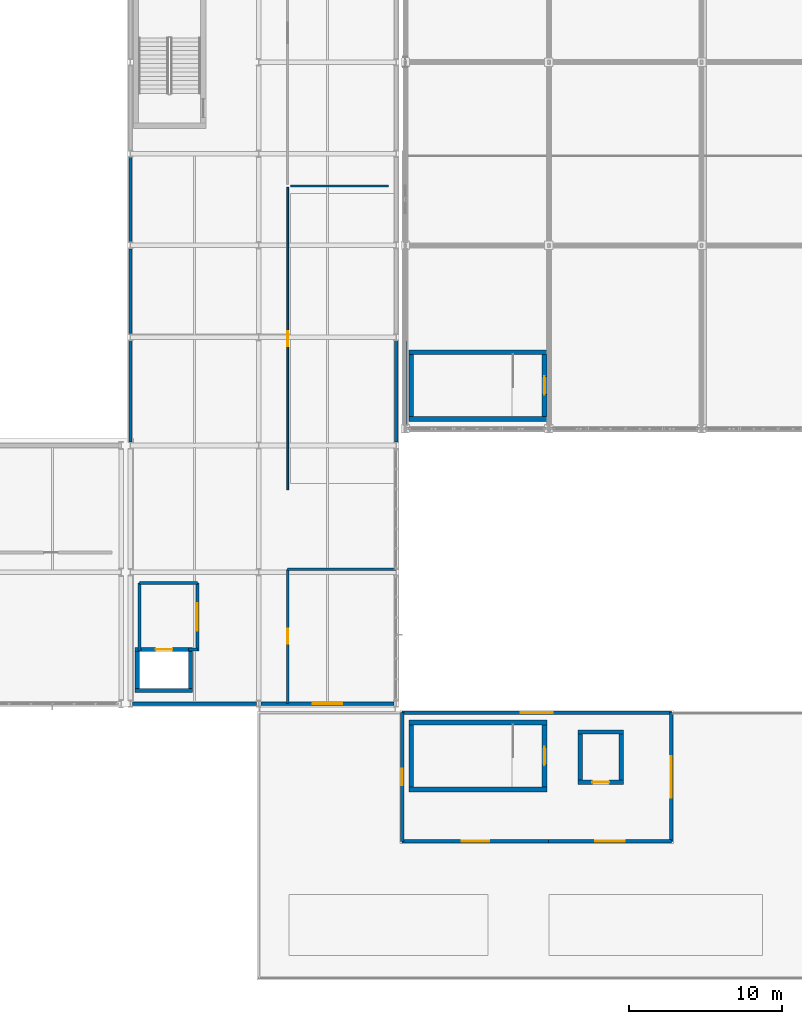
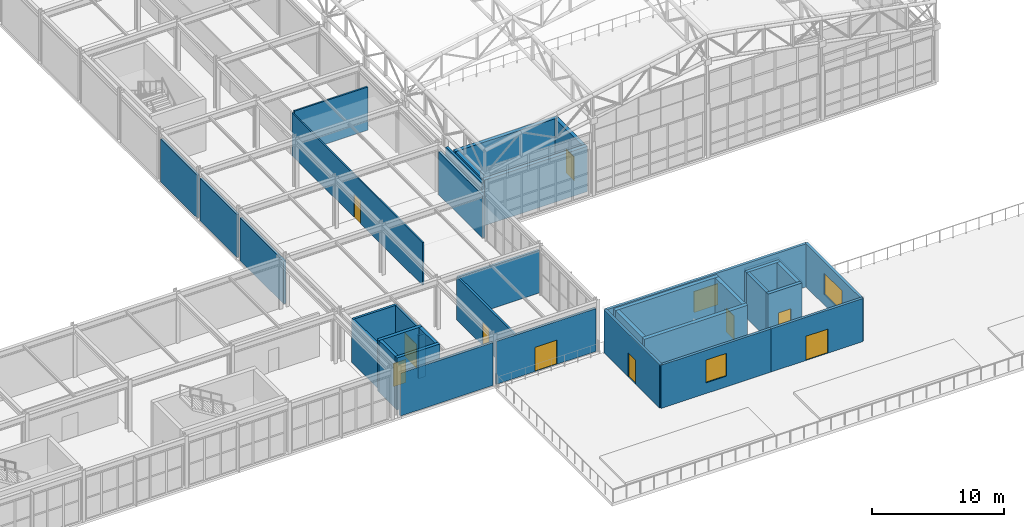
# One storey, part 96 of 112: 36 walls, 10 doors, 3 windows, 13 openings.
"""IFC4 building model written with IfcOpenShell, lengths in metres."""

from ifc_helpers import new_model, si_unit, direction, frame, frame_2d, origin, place, context, subcontext, project, spatial, rectangle, extrude, material, layer, layer_set, type_object, element, fill, save


model = new_model("IFC4")

# Units and contexts
model_context = context("Model", 3, precision=1e-05, world=origin(), true_north=direction((0.0, 1.0)))
body_context = subcontext(model_context, "Body", "Model", "MODEL_VIEW")
ifc_project = project(units=[si_unit("LENGTHUNIT", "METRE"), si_unit("AREAUNIT", "SQUARE_METRE"), si_unit("VOLUMEUNIT", "CUBIC_METRE"), si_unit("PLANEANGLEUNIT", "RADIAN"), si_unit("MASSUNIT", "GRAM", prefix="KILO")], contexts=[model_context])

# Site, building, storey
site_placement = place(None, origin())
site = spatial("IfcSite", under=ifc_project, at=site_placement, CompositionType="ELEMENT")
building_placement = place(site_placement, origin())
building = spatial("IfcBuilding", under=site, at=building_placement, Name="Kaldris Quays Convention Centre", CompositionType="ELEMENT")
storey_placement = place(building_placement, frame((0.0, 0.0, 16.800048828125)))
storey = spatial("IfcBuildingStorey", under=building, at=storey_placement, Name="L03", CompositionType="ELEMENT", Elevation=16.800048828125)

# Walls
ifc_material_1 = material(Name="Anodized aluminium insulated cassette", Category="aluminium")
ifc_layer_1 = layer(ifc_material_1, 0.221923828125)
ifc_layer_set_1 = layer_set([ifc_layer_1], Name="Anodized aluminium insulated cassette")
wall_type_1 = type_object("IfcWallType", Name="EXTERIOR WALL EW06", PredefinedType="STANDARD", material=ifc_layer_set_1)
wall_1_placement = place(storey_placement, frame((164.0, 55.12109375, 0.0), z_axis=(0.0, 0.0, 1.0), x_axis=(0.0, 1.0, 0.0)))
element("IfcWall", 1, at=wall_1_placement, inside=storey, type_object=wall_type_1, Name="L03 Exterior Wall EW06 325", PredefinedType="STANDARD", context=body_context, shape_type="SweptSolid", body=[
    extrude(rectangle(XDim=6.657958984375, YDim=0.221923828125, at=frame_2d((3.3291015625, 0.0))), origin(), (0.0, 0.0, 1.0), 3.96484375),
])
wall_2_placement = place(storey_placement, frame((146.74609375, 38.0, 0.0), z_axis=(0.0, 0.0, 1.0), x_axis=(1.0, 0.0, 0.0)))
element("IfcWall", 2, at=wall_2_placement, inside=storey, type_object=wall_type_1, Name="L03 Exterior Wall EW06 343", PredefinedType="STANDARD", context=body_context, shape_type="SweptSolid", body=[
    extrude(rectangle(XDim=8.10791015625, YDim=0.221923828125, at=frame_2d((4.053955078125, 0.0))), origin(), (0.0, 0.0, 1.0), 3.96484375),
])

# Wall, opening, door
wall_3_placement = place(storey_placement, frame((155.14599609375, 38.0, 0.0), z_axis=(0.0, 0.0, 1.0), x_axis=(1.0, 0.0, 0.0)))
wall_3 = element("IfcWall", 3, at=wall_3_placement, inside=storey, type_object=wall_type_1, Name="L03 Exterior Wall EW06 344", PredefinedType="STANDARD", context=body_context, shape_type="SweptSolid", body=[
    extrude(rectangle(XDim=8.7080078125, YDim=0.221923828125, at=frame_2d((4.35400390625, 0.0))), origin(), (0.0, 0.0, 1.0), 3.96484375),
])
opening_1_placement = place(wall_3_placement, frame((3.39404296875, 0.0, 0.0)))
opening_1 = element("IfcOpeningElement", 4, at=opening_1_placement, cuts=wall_3, Name="Opening ED07", PredefinedType="OPENING", context=body_context, shape_type="SweptSolid", body=[
    extrude(rectangle(XDim=1.919921875, YDim=2.239990234375, at=frame_2d((0.9599609375, 1.1201171875))), frame((0.0, 0.12109375, 0.0), z_axis=(0.0, -1.0, 0.0), x_axis=(1.0, 0.0, 0.0)), (0.0, 0.0, 1.0), 0.241943359375),
])
ifc_material_2 = material(Name="Thermally broken anodized aluminium and laminated safety glass", Category="aluminium")
door_type_1 = type_object("IfcDoorType", Name="EXTERIOR DOOR ED07", OperationType="DOUBLE_DOOR_SINGLE_SWING", PredefinedType="DOOR", material=ifc_material_2)
door_1_placement = place(opening_1_placement, frame((1.919921875, 0.0, 0.0), z_axis=(0.0, 0.0, 1.0), x_axis=(-1.0, 0.0, 0.0)))
door_1 = element("IfcDoor", 5, at=door_1_placement, inside=storey, type_object=door_type_1, Name="L03 Exterior Exit Door ED07 35", OperationType="DOUBLE_DOOR_SINGLE_SWING", OverallHeight=2.239990234375, OverallWidth=1.919921875, PredefinedType="DOOR", context=body_context, shape_type="SweptSolid", body=[
    extrude(rectangle(XDim=1.919921875, YDim=2.239990234375, at=frame_2d((0.9599609375, 1.1201171875))), frame((0.0, 0.02490234375, 0.0), z_axis=(0.0, -1.0, 0.0), x_axis=(1.0, 0.0, 0.0)), (0.0, 0.0, 1.0), 0.050048828125),
])
fill(opening_1, door_1)

wall_4_placement = place(storey_placement, frame((173.97509765625, 29.0, 0.0), z_axis=(0.0, 0.0, 1.0), x_axis=(1.0, 0.0, 0.0)))
wall_4 = element("IfcWall", 6, at=wall_4_placement, inside=storey, type_object=wall_type_1, Name="L03 Exterior Wall EW06 369", PredefinedType="STANDARD", context=body_context, shape_type="SweptSolid", body=[
    extrude(rectangle(XDim=8.0498046875, YDim=0.221923828125, at=frame_2d((4.02490234375, 0.0))), origin(), (0.0, 0.0, 1.0), 4.0),
])
opening_2_placement = place(wall_4_placement, frame((3.06494140625, 0.0, 0.0)))
opening_2 = element("IfcOpeningElement", 7, at=opening_2_placement, cuts=wall_4, Name="Opening ED07", PredefinedType="OPENING", context=body_context, shape_type="SweptSolid", body=[
    extrude(rectangle(XDim=1.919921875, YDim=2.239990234375, at=frame_2d((0.9599609375, 1.1201171875))), frame((0.0, 0.12109375, 0.0), z_axis=(0.0, -1.0, 0.0), x_axis=(1.0, 0.0, 0.0)), (0.0, 0.0, 1.0), 0.241943359375),
])
door_2_placement = place(opening_2_placement, frame((1.919921875, 0.0, 0.0), z_axis=(0.0, 0.0, 1.0), x_axis=(-1.0, 0.0, 0.0)))
door_2 = element("IfcDoor", 8, at=door_2_placement, inside=storey, type_object=door_type_1, Name="L03 Exterior Exit Door ED07 41", OperationType="DOUBLE_DOOR_SINGLE_SWING", OverallHeight=2.239990234375, OverallWidth=1.919921875, PredefinedType="DOOR", context=body_context, shape_type="SweptSolid", body=[
    extrude(rectangle(XDim=1.919921875, YDim=2.239990234375, at=frame_2d((0.9599609375, 1.1201171875))), frame((0.0, 0.02490234375, 0.0), z_axis=(0.0, -1.0, 0.0), x_axis=(1.0, 0.0, 0.0)), (0.0, 0.0, 1.0), 0.050048828125),
])
fill(opening_2, door_2)

# Wall, opening, window
wall_5_placement = place(storey_placement, frame((164.375, 29.0, 0.0), z_axis=(0.0, 0.0, 1.0), x_axis=(1.0, 0.0, 0.0)))
wall_5 = element("IfcWall", 9, at=wall_5_placement, inside=storey, type_object=wall_type_1, Name="L03 Exterior Wall EW06 370", PredefinedType="STANDARD", context=body_context, shape_type="SweptSolid", body=[
    extrude(rectangle(XDim=9.64990234375, YDim=0.221923828125, at=frame_2d((4.824951171875, 0.0))), origin(), (0.0, 0.0, 1.0), 4.0),
])
opening_3_placement = place(wall_5_placement, frame((3.925048828125, 0.0, 1.0)))
opening_3 = element("IfcOpeningElement", 10, at=opening_3_placement, cuts=wall_5, Name="Opening WN03", PredefinedType="OPENING", context=body_context, shape_type="SweptSolid", body=[
    extrude(rectangle(XDim=1.800048828125, YDim=2.10009765625, at=frame_2d((0.89990234375, 1.050048828125))), frame((0.0, 0.12109375, 0.0), z_axis=(0.0, -1.0, 0.0), x_axis=(1.0, 0.0, 0.0)), (0.0, 0.0, 1.0), 0.241943359375),
])
ifc_material_3 = material(Name="Triple low-E insulated glazing", Category="glass")
window_type_1 = type_object("IfcWindowType", Name="TRIPLE GLAZED WINDOW WN03", PartitioningType="SINGLE_PANEL", PredefinedType="WINDOW", material=ifc_material_3)
window_1_placement = place(opening_3_placement, origin())
window_1 = element("IfcWindow", 11, at=window_1_placement, inside=storey, type_object=window_type_1, Name="L03 Exterior Window WN03 97", OverallHeight=2.10009765625, OverallWidth=1.800048828125, PartitioningType="SINGLE_PANEL", PredefinedType="WINDOW", context=body_context, shape_type="SweptSolid", body=[
    extrude(rectangle(XDim=1.800048828125, YDim=2.10009765625, at=frame_2d((0.89990234375, 1.050048828125))), frame((0.0, 0.030029296875, 0.0), z_axis=(0.0, -1.0, 0.0), x_axis=(1.0, 0.0, 0.0)), (0.0, 0.0, 1.0), 0.06005859375),
])
fill(opening_3, window_1)

wall_6_placement = place(storey_placement, frame((164.375, 37.39990234375, 0.0), z_axis=(0.0, 0.0, 1.0), x_axis=(1.0, 0.0, 0.0)))
wall_6 = element("IfcWall", 12, at=wall_6_placement, inside=storey, type_object=wall_type_1, Name="L03 Exterior Wall EW06 371", PredefinedType="STANDARD", context=body_context, shape_type="SweptSolid", body=[
    extrude(rectangle(XDim=17.64990234375, YDim=0.221923828125, at=frame_2d((8.824951171875, 0.0))), origin(), (0.0, 0.0, 1.0), 4.0),
])
opening_4_placement = place(wall_6_placement, frame((7.77490234375, 0.0, 1.0)))
opening_4 = element("IfcOpeningElement", 13, at=opening_4_placement, cuts=wall_6, Name="Opening WN04", PredefinedType="OPENING", context=body_context, shape_type="SweptSolid", body=[
    extrude(rectangle(XDim=2.10009765625, YDim=1.949951171875, at=frame_2d((1.050048828125, 0.97509765625))), frame((0.0, 0.12109375, 0.0), z_axis=(0.0, -1.0, 0.0), x_axis=(1.0, 0.0, 0.0)), (0.0, 0.0, 1.0), 0.241943359375),
])
window_type_2 = type_object("IfcWindowType", Name="TRIPLE GLAZED WINDOW WN04", PartitioningType="SINGLE_PANEL", PredefinedType="WINDOW", material=ifc_material_3)
window_2_placement = place(opening_4_placement, origin())
window_2 = element("IfcWindow", 14, at=window_2_placement, inside=storey, type_object=window_type_2, Name="L03 Exterior Window WN04 98", OverallHeight=1.949951171875, OverallWidth=2.10009765625, PartitioningType="SINGLE_PANEL", PredefinedType="WINDOW", context=body_context, shape_type="SweptSolid", body=[
    extrude(rectangle(XDim=2.10009765625, YDim=1.949951171875, at=frame_2d((1.050048828125, 0.97509765625))), frame((0.0, 0.030029296875, 0.0), z_axis=(0.0, -1.0, 0.0), x_axis=(1.0, 0.0, 0.0)), (0.0, 0.0, 1.0), 0.06005859375),
])
fill(opening_4, window_2)

# Wall, opening, door
wall_7_placement = place(storey_placement, frame((164.39990234375, 28.97509765625, 0.0), z_axis=(0.0, 0.0, 1.0), x_axis=(0.0, 1.0, 0.0)))
wall_7 = element("IfcWall", 15, at=wall_7_placement, inside=storey, type_object=wall_type_1, Name="L03 Exterior Wall EW06 372", PredefinedType="STANDARD", context=body_context, shape_type="SweptSolid", body=[
    extrude(rectangle(XDim=8.449951171875, YDim=0.221923828125, at=frame_2d((4.22509765625, 0.0))), origin(), (0.0, 0.0, 1.0), 4.0),
])
opening_5_placement = place(wall_7_placement, frame((3.675048828125, 0.0, 0.0)))
opening_5 = element("IfcOpeningElement", 16, at=opening_5_placement, cuts=wall_7, Name="Opening ED05", PredefinedType="OPENING", context=body_context, shape_type="SweptSolid", body=[
    extrude(rectangle(XDim=1.10009765625, YDim=2.199951171875, at=frame_2d((0.550048828125, 1.10009765625))), frame((0.0, 0.12109375, 0.0), z_axis=(0.0, -1.0, 0.0), x_axis=(1.0, 0.0, 0.0)), (0.0, 0.0, 1.0), 0.241943359375),
])
door_type_2 = type_object("IfcDoorType", Name="EXTERIOR DOOR ED05", OperationType="NOTDEFINED", PredefinedType="DOOR", material=ifc_material_2)
door_3_placement = place(opening_5_placement, origin())
door_3 = element("IfcDoor", 17, at=door_3_placement, inside=storey, type_object=door_type_2, Name="L03 Exterior Exit Door ED05 42", OperationType="SINGLE_SWING_RIGHT", OverallHeight=2.199951171875, OverallWidth=1.10009765625, PredefinedType="DOOR", context=body_context, shape_type="SweptSolid", body=[
    extrude(rectangle(XDim=1.10009765625, YDim=2.199951171875, at=frame_2d((0.550048828125, 1.10009765625))), frame((0.0, 0.02490234375, 0.0), z_axis=(0.0, -1.0, 0.0), x_axis=(1.0, 0.0, 0.0)), (0.0, 0.0, 1.0), 0.050048828125),
])
fill(opening_5, door_3)

# Wall, opening, window
wall_8_placement = place(storey_placement, frame((182.0, 28.97509765625, 0.0), z_axis=(0.0, 0.0, 1.0), x_axis=(0.0, 1.0, 0.0)))
wall_8 = element("IfcWall", 18, at=wall_8_placement, inside=storey, type_object=wall_type_1, Name="L03 Exterior Wall EW06 373", PredefinedType="STANDARD", context=body_context, shape_type="SweptSolid", body=[
    extrude(rectangle(XDim=8.449951171875, YDim=0.221923828125, at=frame_2d((4.22509765625, 0.0))), origin(), (0.0, 0.0, 1.0), 4.0),
])
opening_6_placement = place(wall_8_placement, frame((2.875, 0.0, 1.0)))
opening_6 = element("IfcOpeningElement", 19, at=opening_6_placement, cuts=wall_8, Name="Opening WN05", PredefinedType="OPENING", context=body_context, shape_type="SweptSolid", body=[
    extrude(rectangle(XDim=2.699951171875, YDim=1.949951171875, at=frame_2d((1.35009765625, 0.97509765625))), frame((0.0, 0.12109375, 0.0), z_axis=(0.0, -1.0, 0.0), x_axis=(1.0, 0.0, 0.0)), (0.0, 0.0, 1.0), 0.241943359375),
])
window_type_3 = type_object("IfcWindowType", Name="TRIPLE GLAZED WINDOW WN05", PartitioningType="SINGLE_PANEL", PredefinedType="WINDOW", material=ifc_material_3)
window_3_placement = place(opening_6_placement, origin())
window_3 = element("IfcWindow", 20, at=window_3_placement, inside=storey, type_object=window_type_3, Name="L03 Exterior Window WN05 99", OverallHeight=1.949951171875, OverallWidth=2.699951171875, PartitioningType="SINGLE_PANEL", PredefinedType="WINDOW", context=body_context, shape_type="SweptSolid", body=[
    extrude(rectangle(XDim=2.699951171875, YDim=1.949951171875, at=frame_2d((1.35009765625, 0.97509765625))), frame((0.0, 0.030029296875, 0.0), z_axis=(0.0, -1.0, 0.0), x_axis=(1.0, 0.0, 0.0)), (0.0, 0.0, 1.0), 0.06005859375),
])
fill(opening_6, window_3)

# Walls
ifc_layer_2 = layer(ifc_material_1, 0.201904296875)
ifc_layer_set_2 = layer_set([ifc_layer_2], Name="Anodized aluminium insulated cassette")
wall_type_2 = type_object("IfcWallType", Name="EXTERIOR WALL EW07", PredefinedType="STANDARD", material=ifc_layer_set_2)
wall_9_placement = place(storey_placement, frame((164.60009765625, 56.24609375, 0.0), z_axis=(0.0, 0.0, 1.0), x_axis=(0.0, 1.0, 0.0)))
element("IfcWall", 21, at=wall_9_placement, inside=storey, type_object=wall_type_2, Name="L03 Exterior Wall EW07 150", PredefinedType="STANDARD", context=body_context, shape_type="SweptSolid", body=[
    extrude(rectangle(XDim=5.5078125, YDim=0.201904296875, at=frame_2d((2.75390625, 0.0))), origin(), (0.0, 0.0, 1.0), 4.199951171875),
])
wall_10_placement = place(storey_placement, frame((146.60009765625, 55.12109375, 0.0), z_axis=(0.0, 0.0, 1.0), x_axis=(0.0, 1.0, 0.0)))
element("IfcWall", 22, at=wall_10_placement, inside=storey, type_object=wall_type_2, Name="L03 Exterior Wall EW07 326", PredefinedType="STANDARD", context=body_context, shape_type="SweptSolid", body=[
    extrude(rectangle(XDim=6.657958984375, YDim=0.201904296875, at=frame_2d((3.3291015625, 0.0))), origin(), (0.0, 0.0, 1.0), 3.96484375),
])
for number, where, z_axis, x_axis, name in (
    (23, (146.60009765625, 62.220947265625, 0.0), (0.0, 0.0, 1.0), (0.0, 1.0, 0.0), "L03 Exterior Wall EW07 328"),
    (24, (146.60009765625, 68.220947265625, 0.0), (0.0, 0.0, 1.0), (0.0, 1.0, 0.0), "L03 Exterior Wall EW07 330"),
):
    element("IfcWall", number, at=place(storey_placement, frame(where, z_axis=z_axis, x_axis=x_axis)), inside=storey, type_object=wall_type_2, Name=name, PredefinedType="STANDARD", context=body_context, shape_type="SweptSolid", body=[
        extrude(rectangle(XDim=5.55810546875, YDim=0.201904296875, at=frame_2d((2.779052734375, 0.0))), origin(), (0.0, 0.0, 1.0), 3.96484375),
    ])

# Wall, opening, door
ifc_material_4 = material(Name="Concrete C35/45", Category="concrete")
ifc_layer_3 = layer(ifc_material_4, 0.199951171875)
ifc_layer_set_3 = layer_set([ifc_layer_3], Name="Concrete C35/45")
wall_type_3 = type_object("IfcWallType", Name="INTERIOR WALL IW01", PredefinedType="PARTITIONING", material=ifc_layer_set_3)
wall_11_placement = place(storey_placement, frame((151.0, 41.449951171875, 0.0), z_axis=(0.0, 0.0, 1.0), x_axis=(0.0, 1.0, 0.0)))
wall_11 = element("IfcWall", 25, at=wall_11_placement, inside=storey, type_object=wall_type_3, Name="L03 Firefighting Lift Lobby FL02 Wall E", PredefinedType="PARTITIONING", context=body_context, shape_type="SweptSolid", body=[
    extrude(rectangle(XDim=4.449951171875, YDim=0.199951171875, at=frame_2d((2.22509765625, 0.0))), origin(), (0.0, 0.0, 1.0), 4.0),
])
opening_7_placement = place(wall_11_placement, frame((1.324951171875, 0.0, 0.0)))
opening_7 = element("IfcOpeningElement", 26, at=opening_7_placement, cuts=wall_11, Name="Opening ID02", PredefinedType="OPENING", context=body_context, shape_type="SweptSolid", body=[
    extrude(rectangle(XDim=1.800048828125, YDim=2.199951171875, at=frame_2d((0.89990234375, 1.10009765625))), frame((0.0, 0.10986328125, 0.0), z_axis=(0.0, -1.0, 0.0), x_axis=(1.0, 0.0, 0.0)), (0.0, 0.0, 1.0), 0.219970703125),
])
ifc_material_5 = material(Name="Steel S355J2 fire-resisting door", Category="steel")
door_type_3 = type_object("IfcDoorType", Name="INTERIOR DOOR ID02", OperationType="DOUBLE_DOOR_SINGLE_SWING", PredefinedType="DOOR", material=ifc_material_5)
door_4_placement = place(opening_7_placement, frame((1.800048828125, 0.0, 0.0), z_axis=(0.0, 0.0, 1.0), x_axis=(-1.0, 0.0, 0.0)))
door_4 = element("IfcDoor", 27, at=door_4_placement, inside=storey, type_object=door_type_3, Name="L03 Firefighting Lift Lobby FL02 Fire Door", OperationType="DOUBLE_DOOR_SINGLE_SWING", OverallHeight=2.199951171875, OverallWidth=1.800048828125, PredefinedType="DOOR", context=body_context, shape_type="SweptSolid", body=[
    extrude(rectangle(XDim=1.800048828125, YDim=2.199951171875, at=frame_2d((0.89990234375, 1.10009765625))), frame((0.0, 0.02490234375, 0.0), z_axis=(0.0, -1.0, 0.0), x_axis=(1.0, 0.0, 0.0)), (0.0, 0.0, 1.0), 0.050048828125),
])
fill(opening_7, door_4)

# Walls
wall_12_placement = place(storey_placement, frame((147.199951171875, 45.89990234375, 0.0), z_axis=(0.0, 0.0, 1.0), x_axis=(1.0, 0.0, 0.0)))
element("IfcWall", 28, at=wall_12_placement, inside=storey, type_object=wall_type_3, Name="L03 Firefighting Lift Lobby FL02 Wall N", PredefinedType="PARTITIONING", context=body_context, shape_type="SweptSolid", body=[
    extrude(rectangle(XDim=3.800048828125, YDim=0.199951171875, at=frame_2d((1.89990234375, 0.0))), origin(), (0.0, 0.0, 1.0), 4.0),
])
wall_13_placement = place(storey_placement, frame((147.199951171875, 41.449951171875, 0.0), z_axis=(0.0, 0.0, 1.0), x_axis=(0.0, 1.0, 0.0)))
element("IfcWall", 29, at=wall_13_placement, inside=storey, type_object=wall_type_3, Name="L03 Firefighting Lift Lobby FL02 Wall W", PredefinedType="PARTITIONING", context=body_context, shape_type="SweptSolid", body=[
    extrude(rectangle(XDim=4.449951171875, YDim=0.199951171875, at=frame_2d((2.22509765625, 0.0))), origin(), (0.0, 0.0, 1.0), 4.0),
])
wall_14_placement = place(storey_placement, frame((150.39990234375, 41.56005859375, 0.0), z_axis=(0.0, 0.0, 1.0), x_axis=(1.0, 0.0, 0.0)))
element("IfcWall", 30, at=wall_14_placement, inside=storey, type_object=wall_type_3, Name="L03 Firefighting Lift Lobby FL02 Wall S", PredefinedType="PARTITIONING", context=body_context, shape_type="SweptSolid", body=[
    extrude(rectangle(XDim=0.60009765625, YDim=0.199951171875, at=frame_2d((0.300048828125, 0.0))), origin(), (0.0, 0.0, 1.0), 4.0),
])

# Wall, opening, door
ifc_material_6 = material(Name="Acoustic gypsum stud partition", Category="gypsum")
ifc_layer_4 = layer(ifc_material_6, 0.177978515625)
ifc_layer_set_4 = layer_set([ifc_layer_4], Name="Acoustic gypsum stud partition")
wall_type_4 = type_object("IfcWallType", Name="INTERIOR WALL IW02", PredefinedType="PARTITIONING", material=ifc_layer_set_4)
wall_15_placement = place(storey_placement, frame((156.89990234375, 38.0, 0.0), z_axis=(0.0, 0.0, 1.0), x_axis=(0.0, 1.0, 0.0)))
wall_15 = element("IfcWall", 31, at=wall_15_placement, inside=storey, type_object=wall_type_4, Name="L03 Interior Wall IW02 109", PredefinedType="PARTITIONING", context=body_context, shape_type="SweptSolid", body=[
    extrude(rectangle(XDim=8.800048828125, YDim=0.177978515625, at=frame_2d((4.39990234375, 0.0))), origin(), (0.0, 0.0, 1.0), 3.96484375),
])
opening_8_placement = place(wall_15_placement, frame((3.909912109375, 0.0, 0.0)))
opening_8 = element("IfcOpeningElement", 32, at=opening_8_placement, cuts=wall_15, Name="Opening ID13", PredefinedType="OPENING", context=body_context, shape_type="SweptSolid", body=[
    extrude(rectangle(XDim=0.97998046875, YDim=2.139892578125, at=frame_2d((0.489990234375, 1.06982421875))), frame((0.0, 0.09912109375, 0.0), z_axis=(0.0, -1.0, 0.0), x_axis=(1.0, 0.0, 0.0)), (0.0, 0.0, 1.0), 0.197998046875),
])
ifc_material_7 = material(Name="SIA 500 accessible sanitary room door", Category="wood")
door_type_4 = type_object("IfcDoorType", Name="INTERIOR DOOR ID13", OperationType="NOTDEFINED", PredefinedType="DOOR", material=ifc_material_7)
door_5_placement = place(opening_8_placement, origin())
door_5 = element("IfcDoor", 33, at=door_5_placement, inside=storey, type_object=door_type_4, Name="L03 Interior Door ID13 74", OperationType="SINGLE_SWING_RIGHT", OverallHeight=2.139892578125, OverallWidth=0.97998046875, PredefinedType="DOOR", context=body_context, shape_type="SweptSolid", body=[
    extrude(rectangle(XDim=0.97998046875, YDim=2.139892578125, at=frame_2d((0.489990234375, 1.06982421875))), frame((0.0, 0.02490234375, 0.0), z_axis=(0.0, -1.0, 0.0), x_axis=(1.0, 0.0, 0.0)), (0.0, 0.0, 1.0), 0.050048828125),
])
fill(opening_8, door_5)

# Wall
wall_16_placement = place(storey_placement, frame((156.89990234375, 46.800048828125, 0.0), z_axis=(0.0, 0.0, 1.0), x_axis=(1.0, 0.0, 0.0)))
element("IfcWall", 34, at=wall_16_placement, inside=storey, type_object=wall_type_4, Name="L03 Interior Wall IW02 110", PredefinedType="PARTITIONING", context=body_context, shape_type="SweptSolid", body=[
    extrude(rectangle(XDim=7.10009765625, YDim=0.177978515625, at=frame_2d((3.550048828125, 0.0))), origin(), (0.0, 0.0, 1.0), 3.96484375),
])

# Wall, opening, door
ifc_layer_5 = layer(ifc_material_6, 0.1201171875)
ifc_layer_set_5 = layer_set([ifc_layer_5], Name="Acoustic gypsum stud partition")
wall_type_5 = type_object("IfcWallType", Name="INTERIOR WALL IW06", PredefinedType="PARTITIONING", material=ifc_layer_set_5)
wall_17_placement = place(storey_placement, frame((156.89990234375, 52.0, 0.0), z_axis=(0.0, 0.0, 1.0), x_axis=(0.0, 1.0, 0.0)))
wall_17 = element("IfcWall", 35, at=wall_17_placement, inside=storey, type_object=wall_type_5, Name="L03 Interior Wall IW06 111", PredefinedType="PARTITIONING", context=body_context, shape_type="SweptSolid", body=[
    extrude(rectangle(XDim=19.800048828125, YDim=0.1201171875, at=frame_2d((9.89990234375, 0.0))), origin(), (0.0, 0.0, 1.0), 3.96484375),
])
opening_9_placement = place(wall_17_placement, frame((9.409912109375, 0.0, 0.0)))
opening_9 = element("IfcOpeningElement", 36, at=opening_9_placement, cuts=wall_17, Name="Opening ID13", PredefinedType="OPENING", context=body_context, shape_type="SweptSolid", body=[
    extrude(rectangle(XDim=0.97998046875, YDim=2.139892578125, at=frame_2d((0.489990234375, 1.06982421875))), frame((0.0, 0.070068359375, 0.0), z_axis=(0.0, -1.0, 0.0), x_axis=(1.0, 0.0, 0.0)), (0.0, 0.0, 1.0), 0.14013671875),
])
door_6_placement = place(opening_9_placement, origin())
door_6 = element("IfcDoor", 37, at=door_6_placement, inside=storey, type_object=door_type_4, Name="L03 Interior Door ID13 75", OperationType="SINGLE_SWING_LEFT", OverallHeight=2.139892578125, OverallWidth=0.97998046875, PredefinedType="DOOR", context=body_context, shape_type="SweptSolid", body=[
    extrude(rectangle(XDim=0.97998046875, YDim=2.139892578125, at=frame_2d((0.489990234375, 1.06982421875))), frame((0.0, 0.02490234375, 0.0), z_axis=(0.0, -1.0, 0.0), x_axis=(1.0, 0.0, 0.0)), (0.0, 0.0, 1.0), 0.050048828125),
])
fill(opening_9, door_6)

# Walls
ifc_material_8 = material(Name="Steel S355J2 acoustic operable panel", Category="steel")
ifc_layer_6 = layer(ifc_material_8, 0.14208984375)
ifc_layer_set_6 = layer_set([ifc_layer_6], Name="Steel S355J2 acoustic operable panel")
wall_type_6 = type_object("IfcWallType", Name="INTERIOR WALL MW01", PredefinedType="MOVABLE", material=ifc_layer_set_6)
wall_18_placement = place(storey_placement, frame((157.10009765625, 71.89990234375, 0.0), z_axis=(0.0, 0.0, 1.0), x_axis=(1.0, 0.0, 0.0)))
element("IfcWall", 38, at=wall_18_placement, inside=storey, type_object=wall_type_6, Name="L03 Interior Wall MW01 115", PredefinedType="MOVABLE", context=body_context, shape_type="SweptSolid", body=[
    extrude(rectangle(XDim=6.39990234375, YDim=0.14208984375, at=frame_2d((3.199951171875, 0.0))), origin(), (0.0, 0.0, 1.0), 4.0),
])
ifc_material_9 = material(Name="Concrete C40/50", Category="concrete")
ifc_layer_7 = layer(ifc_material_9, 0.320068359375)
ifc_layer_set_7 = layer_set([ifc_layer_7], Name="Concrete C40/50")
wall_type_7 = type_object("IfcWallType", Name="STRUCTURAL WALL SW02", PredefinedType="SHEAR", material=ifc_layer_set_7)
for number, where, z_axis, x_axis, name in (
    (39, (164.830078125, 56.639892578125, 0.0), (0.0, 0.0, 1.0), (1.0, 0.0, 0.0), "L03 Core Shear Wall CORE-ST08-L03-S"),
    (40, (164.830078125, 61.010009765625, 0.0), (0.0, 0.0, 1.0), (1.0, 0.0, 0.0), "L03 Core Shear Wall CORE-ST08-L03-N"),
):
    element("IfcWall", number, at=place(storey_placement, frame(where, z_axis=z_axis, x_axis=x_axis)), inside=storey, type_object=wall_type_7, Name=name, PredefinedType="SHEAR", context=body_context, shape_type="SweptSolid", body=[
        extrude(rectangle(XDim=9.0400390625, YDim=0.320068359375, at=frame_2d((4.52001953125, 0.0))), origin(), (0.0, 0.0, 1.0), 4.199951171875),
    ])
wall_19_placement = place(storey_placement, frame((164.989990234375, 56.800048828125, 0.0), z_axis=(0.0, 0.0, 1.0), x_axis=(0.0, 1.0, 0.0)))
element("IfcWall", 41, at=wall_19_placement, inside=storey, type_object=wall_type_7, Name="L03 Core Shear Wall CORE-ST08-L03-W", PredefinedType="SHEAR", context=body_context, shape_type="SweptSolid", body=[
    extrude(rectangle(XDim=4.050048828125, YDim=0.320068359375, at=frame_2d((2.02490234375, 0.0))), origin(), (0.0, 0.0, 1.0), 4.199951171875),
])

# Wall, opening, door
wall_20_placement = place(storey_placement, frame((173.7099609375, 56.800048828125, 0.0), z_axis=(0.0, 0.0, 1.0), x_axis=(0.0, 1.0, 0.0)))
wall_20 = element("IfcWall", 42, at=wall_20_placement, inside=storey, type_object=wall_type_7, Name="L03 Core Shear Wall CORE-ST08-L03-E", PredefinedType="SHEAR", context=body_context, shape_type="SweptSolid", body=[
    extrude(rectangle(XDim=4.050048828125, YDim=0.320068359375, at=frame_2d((2.02490234375, 0.0))), origin(), (0.0, 0.0, 1.0), 4.199951171875),
])
opening_10_placement = place(wall_20_placement, frame((1.425048828125, 0.0, 0.0)))
opening_10 = element("IfcOpeningElement", 43, at=opening_10_placement, cuts=wall_20, Name="Opening ID03", PredefinedType="OPENING", context=body_context, shape_type="SweptSolid", body=[
    extrude(rectangle(XDim=1.199951171875, YDim=2.199951171875, at=frame_2d((0.60009765625, 1.10009765625))), frame((0.0, 0.169921875, 0.0), z_axis=(0.0, -1.0, 0.0), x_axis=(1.0, 0.0, 0.0)), (0.0, 0.0, 1.0), 0.340087890625),
])
door_type_5 = type_object("IfcDoorType", Name="INTERIOR DOOR ID03", OperationType="NOTDEFINED", PredefinedType="DOOR", material=ifc_material_5)
door_7_placement = place(opening_10_placement, origin())
door_7 = element("IfcDoor", 44, at=door_7_placement, inside=storey, type_object=door_type_5, Name="L03 Escape Stair ST08 Fire Door", OperationType="SINGLE_SWING_LEFT", OverallHeight=2.199951171875, OverallWidth=1.199951171875, PredefinedType="DOOR", context=body_context, shape_type="SweptSolid", body=[
    extrude(rectangle(XDim=1.199951171875, YDim=2.199951171875, at=frame_2d((0.60009765625, 1.10009765625))), frame((0.0, 0.02490234375, 0.0), z_axis=(0.0, -1.0, 0.0), x_axis=(1.0, 0.0, 0.0)), (0.0, 0.0, 1.0), 0.050048828125),
])
fill(opening_10, door_7)

# Walls
for number, where, z_axis, x_axis, name in (
    (45, (164.830078125, 32.389892578125, 0.0), (0.0, 0.0, 1.0), (1.0, 0.0, 0.0), "L03 Core Shear Wall CORE-ST15-L03-S"),
    (46, (164.830078125, 36.760009765625, 0.0), (0.0, 0.0, 1.0), (1.0, 0.0, 0.0), "L03 Core Shear Wall CORE-ST15-L03-N"),
):
    element("IfcWall", number, at=place(storey_placement, frame(where, z_axis=z_axis, x_axis=x_axis)), inside=storey, type_object=wall_type_7, Name=name, PredefinedType="SHEAR", context=body_context, shape_type="SweptSolid", body=[
        extrude(rectangle(XDim=9.0400390625, YDim=0.320068359375, at=frame_2d((4.52001953125, 0.0))), origin(), (0.0, 0.0, 1.0), 4.199951171875),
    ])
wall_21_placement = place(storey_placement, frame((164.989990234375, 32.550048828125, 0.0), z_axis=(0.0, 0.0, 1.0), x_axis=(0.0, 1.0, 0.0)))
element("IfcWall", 47, at=wall_21_placement, inside=storey, type_object=wall_type_7, Name="L03 Core Shear Wall CORE-ST15-L03-W", PredefinedType="SHEAR", context=body_context, shape_type="SweptSolid", body=[
    extrude(rectangle(XDim=4.050048828125, YDim=0.320068359375, at=frame_2d((2.02490234375, 0.0))), origin(), (0.0, 0.0, 1.0), 4.199951171875),
])

# Wall, opening, door
wall_22_placement = place(storey_placement, frame((173.7099609375, 32.550048828125, 0.0), z_axis=(0.0, 0.0, 1.0), x_axis=(0.0, 1.0, 0.0)))
wall_22 = element("IfcWall", 48, at=wall_22_placement, inside=storey, type_object=wall_type_7, Name="L03 Core Shear Wall CORE-ST15-L03-E", PredefinedType="SHEAR", context=body_context, shape_type="SweptSolid", body=[
    extrude(rectangle(XDim=4.050048828125, YDim=0.320068359375, at=frame_2d((2.02490234375, 0.0))), origin(), (0.0, 0.0, 1.0), 4.199951171875),
])
opening_11_placement = place(wall_22_placement, frame((1.425048828125, 0.0, 0.0)))
opening_11 = element("IfcOpeningElement", 49, at=opening_11_placement, cuts=wall_22, Name="Opening ID03", PredefinedType="OPENING", context=body_context, shape_type="SweptSolid", body=[
    extrude(rectangle(XDim=1.199951171875, YDim=2.199951171875, at=frame_2d((0.60009765625, 1.10009765625))), frame((0.0, 0.169921875, 0.0), z_axis=(0.0, -1.0, 0.0), x_axis=(1.0, 0.0, 0.0)), (0.0, 0.0, 1.0), 0.340087890625),
])
door_8_placement = place(opening_11_placement, origin())
door_8 = element("IfcDoor", 50, at=door_8_placement, inside=storey, type_object=door_type_5, Name="L03 Escape Stair ST15 Fire Door", OperationType="SINGLE_SWING_LEFT", OverallHeight=2.199951171875, OverallWidth=1.199951171875, PredefinedType="DOOR", context=body_context, shape_type="SweptSolid", body=[
    extrude(rectangle(XDim=1.199951171875, YDim=2.199951171875, at=frame_2d((0.60009765625, 1.10009765625))), frame((0.0, 0.02490234375, 0.0), z_axis=(0.0, -1.0, 0.0), x_axis=(1.0, 0.0, 0.0)), (0.0, 0.0, 1.0), 0.050048828125),
])
fill(opening_11, door_8)

# Wall
ifc_layer_8 = layer(ifc_material_9, 0.280029296875)
ifc_layer_set_8 = layer_set([ifc_layer_8], Name="Concrete C40/50")
wall_type_8 = type_object("IfcWallType", Name="STRUCTURAL WALL SW03", PredefinedType="SHEAR", material=ifc_layer_set_8)
wall_23_placement = place(storey_placement, frame((146.919921875, 38.860107421875, 0.0), z_axis=(0.0, 0.0, 1.0), x_axis=(1.0, 0.0, 0.0)))
element("IfcWall", 51, at=wall_23_placement, inside=storey, type_object=wall_type_8, Name="L03 Core Shear Wall LSHAFT-FL02-L03-S", PredefinedType="SHEAR", context=body_context, shape_type="SweptSolid", body=[
    extrude(rectangle(XDim=3.760009765625, YDim=0.280029296875, at=frame_2d((1.8798828125, 0.0))), origin(), (0.0, 0.0, 1.0), 4.800048828125),
])

# Wall, opening, door
wall_24_placement = place(storey_placement, frame((146.919921875, 41.5400390625, 0.0), z_axis=(0.0, 0.0, 1.0), x_axis=(1.0, 0.0, 0.0)))
wall_24 = element("IfcWall", 52, at=wall_24_placement, inside=storey, type_object=wall_type_8, Name="L03 Core Shear Wall LSHAFT-FL02-L03-N", PredefinedType="SHEAR", context=body_context, shape_type="SweptSolid", body=[
    extrude(rectangle(XDim=3.760009765625, YDim=0.280029296875, at=frame_2d((1.8798828125, 0.0))), origin(), (0.0, 0.0, 1.0), 4.800048828125),
])
opening_12_placement = place(wall_24_placement, frame((1.330078125, 0.0, 0.0)))
opening_12 = element("IfcOpeningElement", 53, at=opening_12_placement, cuts=wall_24, Name="Opening LD01", PredefinedType="OPENING", context=body_context, shape_type="SweptSolid", body=[
    extrude(rectangle(XDim=1.10009765625, YDim=2.14990234375, at=frame_2d((0.550048828125, 1.074951171875))), frame((0.0, 0.14990234375, 0.0), z_axis=(0.0, -1.0, 0.0), x_axis=(1.0, 0.0, 0.0)), (0.0, 0.0, 1.0), 0.300048828125),
])
ifc_material_10 = material(Name="Stainless steel 1.4301 lift landing door", Category="steel")
door_type_6 = type_object("IfcDoorType", Name="INTERIOR DOOR LD01", OperationType="DOUBLE_DOOR_SLIDING", PredefinedType="DOOR", material=ifc_material_10)
door_9_placement = place(opening_12_placement, origin())
door_9 = element("IfcDoor", 54, at=door_9_placement, inside=storey, type_object=door_type_6, Name="L03 FL02 Sliding Lift Landing Door", OperationType="DOUBLE_DOOR_SLIDING", OverallHeight=2.14990234375, OverallWidth=1.10009765625, PredefinedType="DOOR", context=body_context, shape_type="SweptSolid", body=[
    extrude(rectangle(XDim=1.10009765625, YDim=2.14990234375, at=frame_2d((0.550048828125, 1.074951171875))), frame((0.0, 0.02490234375, 0.0), z_axis=(0.0, -1.0, 0.0), x_axis=(1.0, 0.0, 0.0)), (0.0, 0.0, 1.0), 0.050048828125),
])
fill(opening_12, door_9)

# Walls
for number, where, z_axis, x_axis, name in (
    (55, (147.06005859375, 39.0, 0.0), (0.0, 0.0, 1.0), (0.0, 1.0, 0.0), "L03 Core Shear Wall LSHAFT-FL02-L03-W"),
    (56, (150.5400390625, 39.0, 0.0), (0.0, 0.0, 1.0), (0.0, 1.0, 0.0), "L03 Core Shear Wall LSHAFT-FL02-L03-E"),
):
    element("IfcWall", number, at=place(storey_placement, frame(where, z_axis=z_axis, x_axis=x_axis)), inside=storey, type_object=wall_type_8, Name=name, PredefinedType="SHEAR", context=body_context, shape_type="SweptSolid", body=[
        extrude(rectangle(XDim=2.39990234375, YDim=0.280029296875, at=frame_2d((1.199951171875, 0.0))), origin(), (0.0, 0.0, 1.0), 4.800048828125),
    ])

# Wall, opening, door
wall_25_placement = place(storey_placement, frame((175.919921875, 32.860107421875, 0.0), z_axis=(0.0, 0.0, 1.0), x_axis=(1.0, 0.0, 0.0)))
wall_25 = element("IfcWall", 57, at=wall_25_placement, inside=storey, type_object=wall_type_8, Name="L03 Core Shear Wall LSHAFT-PL02-L03-S", PredefinedType="SHEAR", context=body_context, shape_type="SweptSolid", body=[
    extrude(rectangle(XDim=2.9599609375, YDim=0.280029296875, at=frame_2d((1.47998046875, 0.0))), origin(), (0.0, 0.0, 1.0), 4.199951171875),
])
opening_13_placement = place(wall_25_placement, frame((0.929931640625, 0.0, 0.0)))
opening_13 = element("IfcOpeningElement", 58, at=opening_13_placement, cuts=wall_25, Name="Opening LD01", PredefinedType="OPENING", context=body_context, shape_type="SweptSolid", body=[
    extrude(rectangle(XDim=1.10009765625, YDim=2.14990234375, at=frame_2d((0.550048828125, 1.074951171875))), frame((0.0, 0.14990234375, 0.0), z_axis=(0.0, -1.0, 0.0), x_axis=(1.0, 0.0, 0.0)), (0.0, 0.0, 1.0), 0.300048828125),
])
door_10_placement = place(opening_13_placement, origin())
door_10 = element("IfcDoor", 59, at=door_10_placement, inside=storey, type_object=door_type_6, Name="L03 PL02 Sliding Lift Landing Door", OperationType="DOUBLE_DOOR_SLIDING", OverallHeight=2.14990234375, OverallWidth=1.10009765625, PredefinedType="DOOR", context=body_context, shape_type="SweptSolid", body=[
    extrude(rectangle(XDim=1.10009765625, YDim=2.14990234375, at=frame_2d((0.550048828125, 1.074951171875))), frame((0.0, 0.02490234375, 0.0), z_axis=(0.0, -1.0, 0.0), x_axis=(1.0, 0.0, 0.0)), (0.0, 0.0, 1.0), 0.050048828125),
])
fill(opening_13, door_10)

# Walls
wall_26_placement = place(storey_placement, frame((175.919921875, 36.139892578125, 0.0), z_axis=(0.0, 0.0, 1.0), x_axis=(1.0, 0.0, 0.0)))
element("IfcWall", 60, at=wall_26_placement, inside=storey, type_object=wall_type_8, Name="L03 Core Shear Wall LSHAFT-PL02-L03-N", PredefinedType="SHEAR", context=body_context, shape_type="SweptSolid", body=[
    extrude(rectangle(XDim=2.9599609375, YDim=0.280029296875, at=frame_2d((1.47998046875, 0.0))), origin(), (0.0, 0.0, 1.0), 4.199951171875),
])
for number, where, z_axis, x_axis, name in (
    (61, (176.06005859375, 33.0, 0.0), (0.0, 0.0, 1.0), (0.0, 1.0, 0.0), "L03 Core Shear Wall LSHAFT-PL02-L03-W"),
    (62, (178.739990234375, 33.0, 0.0), (0.0, 0.0, 1.0), (0.0, 1.0, 0.0), "L03 Core Shear Wall LSHAFT-PL02-L03-E"),
):
    element("IfcWall", number, at=place(storey_placement, frame(where, z_axis=z_axis, x_axis=x_axis)), inside=storey, type_object=wall_type_8, Name=name, PredefinedType="SHEAR", context=body_context, shape_type="SweptSolid", body=[
        extrude(rectangle(XDim=3.0, YDim=0.280029296875, at=frame_2d((1.5, 0.0))), origin(), (0.0, 0.0, 1.0), 4.199951171875),
    ])

save(model, "model.ifc")
